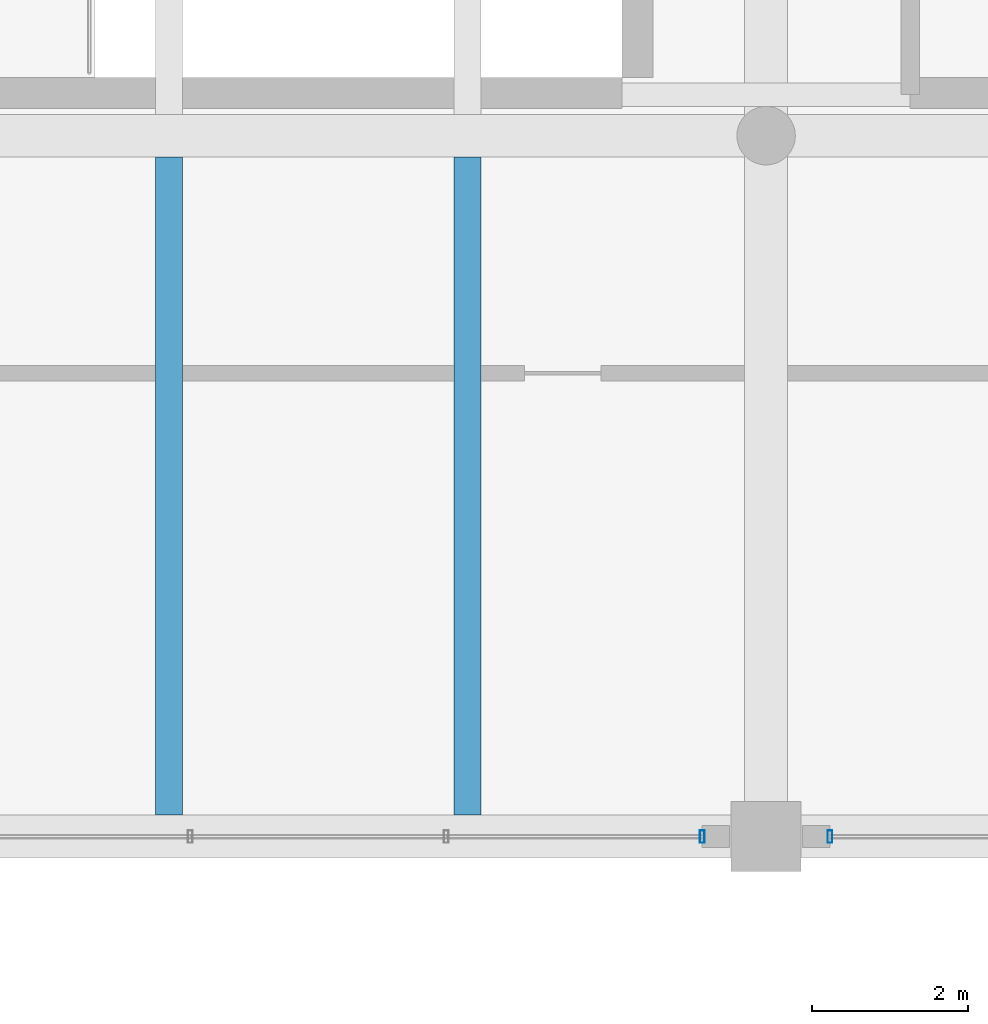
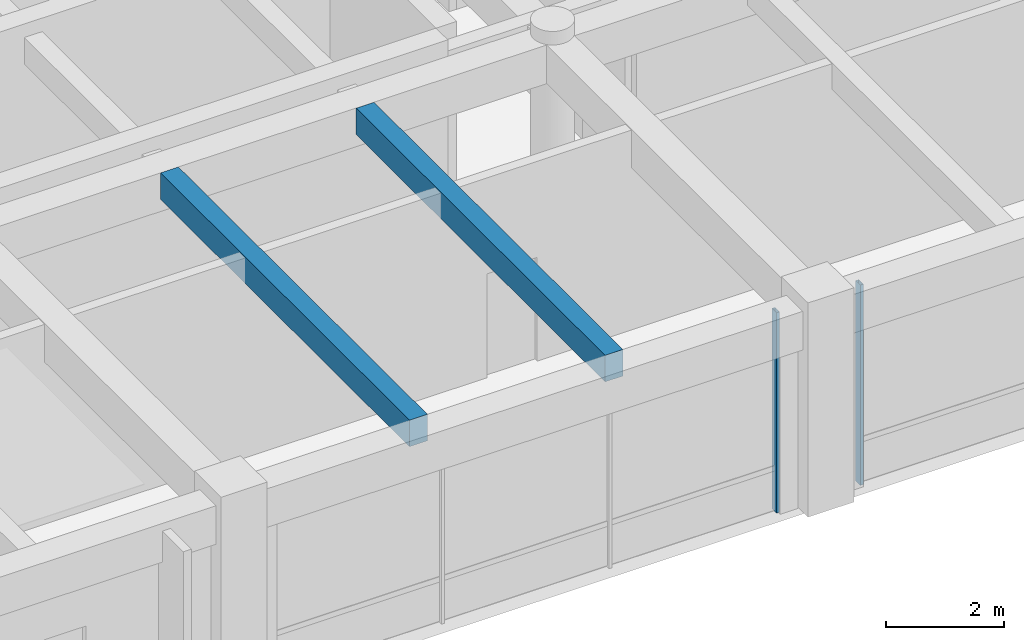
# One storey, part 12 of 27: 2 beams, 2 members, 2 elements without a shape of their own.
"""IFC4 building model written with IfcOpenShell, lengths in metres."""

from ifc_helpers import new_model, si_unit, direction, frame, origin, origin_2d, place, context, subcontext, project, spatial, rectangle, hollow_rectangle, extrude, material, material_profile, profile_set, type_object, element, aggregate, save


model = new_model("IFC4")

# Units and contexts
model_context = context("Model", 3, precision=1e-05, world=origin(), true_north=direction((0.0, 1.0)))
body_context = subcontext(model_context, "Body", "Model", "MODEL_VIEW")
ifc_project = project(units=[si_unit("LENGTHUNIT", "METRE"), si_unit("AREAUNIT", "SQUARE_METRE"), si_unit("VOLUMEUNIT", "CUBIC_METRE"), si_unit("PLANEANGLEUNIT", "RADIAN"), si_unit("MASSUNIT", "GRAM", prefix="KILO")], contexts=[model_context])

# Site, building, storey
site_placement = place(None, origin())
site = spatial("IfcSite", under=ifc_project, at=site_placement, CompositionType="ELEMENT")
building_placement = place(site_placement, origin())
building = spatial("IfcBuilding", under=site, at=building_placement, Name="Ologun Quay Terminus", CompositionType="ELEMENT")
storey_placement = place(building_placement, frame((0.0, 0.0, 22.4599609375)))
storey = spatial("IfcBuildingStorey", under=building, at=storey_placement, Name="L05", CompositionType="ELEMENT", Elevation=22.4599609375)

# Curtain wall, member
ifc_material_1 = material(Name="Aluminium 6063-T6", Category="aluminium")
curtain_wall_type = type_object("IfcCurtainWallType", Name="Operations Wing Canteen Curtain Wall L05 10600x4050", PredefinedType="USERDEFINED", material=ifc_material_1)
curtain_wall_1_placement = place(storey_placement, origin())
curtain_wall_1 = element("IfcCurtainWall", 1, at=curtain_wall_1_placement, inside=storey, type_object=curtain_wall_type, Name="CW-28 Curtain Wall CW-L05-152", ObjectType="UNITISED CURTAIN WALL", PredefinedType="USERDEFINED")
ifc_material_2 = material(Name="Aluminium 6063-T6", Category="aluminium")
ifc_material_profile_1 = material_profile(ifc_material_2, hollow_rectangle(XDim=0.06005859375, YDim=0.159912109375, WallThickness=0.00390625, at=origin_2d()), Name="ALU 160x60x4")
ifc_profile_set_1 = profile_set([ifc_material_profile_1], Name="Aluminium 6063-T6")
member_type = type_object("IfcMemberType", Name="Courtyard Screen Mullion 160x65", PredefinedType="MULLION", material=ifc_profile_set_1)
member_1_placement = place(storey_placement, frame((137.179931640625, 85.800048828125, 0.0), z_axis=(0.0, 0.0, 1.0), x_axis=(1.0, 0.0, 0.0)))
member_1 = element("IfcMember", 2, at=member_1_placement, type_object=member_type, Name="CW-L05-152 Mullion 4", PredefinedType="MULLION", context=body_context, shape_type="SweptSolid", body=[
    extrude(hollow_rectangle(XDim=0.06005859375, YDim=0.159912109375, WallThickness=0.00390625, at=origin_2d()), origin(), (0.0, 0.0, 1.0), 4.150146484375),
])
aggregate(curtain_wall_1, [member_1])

curtain_wall_2_placement = place(storey_placement, origin())
curtain_wall_2 = element("IfcCurtainWall", 3, at=curtain_wall_2_placement, inside=storey, type_object=curtain_wall_type, Name="CW-28 Curtain Wall CW-L05-153", ObjectType="UNITISED CURTAIN WALL", PredefinedType="USERDEFINED")
member_2_placement = place(storey_placement, frame((138.820068359375, 85.800048828125, 0.0), z_axis=(0.0, 0.0, 1.0), x_axis=(1.0, 0.0, 0.0)))
member_2 = element("IfcMember", 4, at=member_2_placement, type_object=member_type, Name="CW-L05-153 Mullion 1", PredefinedType="MULLION", context=body_context, shape_type="SweptSolid", body=[
    extrude(hollow_rectangle(XDim=0.06005859375, YDim=0.159912109375, WallThickness=0.00390625, at=origin_2d()), origin(), (0.0, 0.0, 1.0), 4.150146484375),
])
aggregate(curtain_wall_2, [member_2])

# Beams
ifc_material_3 = material(Name="Concrete C40/50", Category="concrete")
ifc_material_profile_2 = material_profile(ifc_material_3, rectangle(XDim=0.35009765625, YDim=0.550048828125, at=origin_2d()), Name="RC 350x550")
ifc_profile_set_2 = profile_set([ifc_material_profile_2], Name="Concrete C40/50")
beam_type = type_object("IfcBeamType", Name="Courtyard Wing Secondary Joist 350x550", PredefinedType="JOIST", material=ifc_profile_set_2)
for number, where, z_axis, x_axis, name in (
    (5, (130.333251953125, 86.074951171875, 3.885009765625), (0.0, 1.0, 0.0), (-1.0, 0.0, 0.0), "J2 Beam 12/G2 L05"),
    (6, (134.166748046875, 86.074951171875, 3.885009765625), (0.0, 1.0, 0.0), (-1.0, 0.0, 0.0), "J2 Beam 12/G2 L05"),
):
    element("IfcBeam", number, at=place(storey_placement, frame(where, z_axis=z_axis, x_axis=x_axis)), inside=storey, type_object=beam_type, Name=name, PredefinedType="JOIST", context=body_context, shape_type="SweptSolid", body=[
        extrude(rectangle(XDim=0.35009765625, YDim=0.550048828125, at=origin_2d()), origin(), (0.0, 0.0, 1.0), 8.449951171875),
    ])

save(model, "model.ifc")
